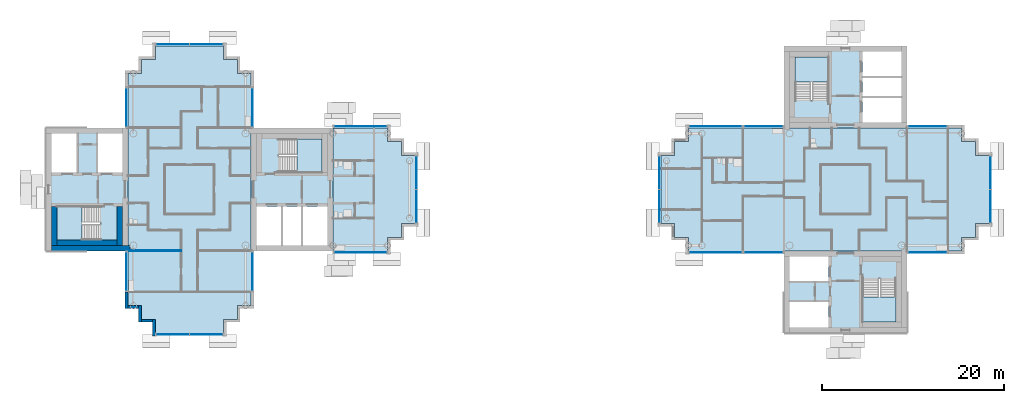
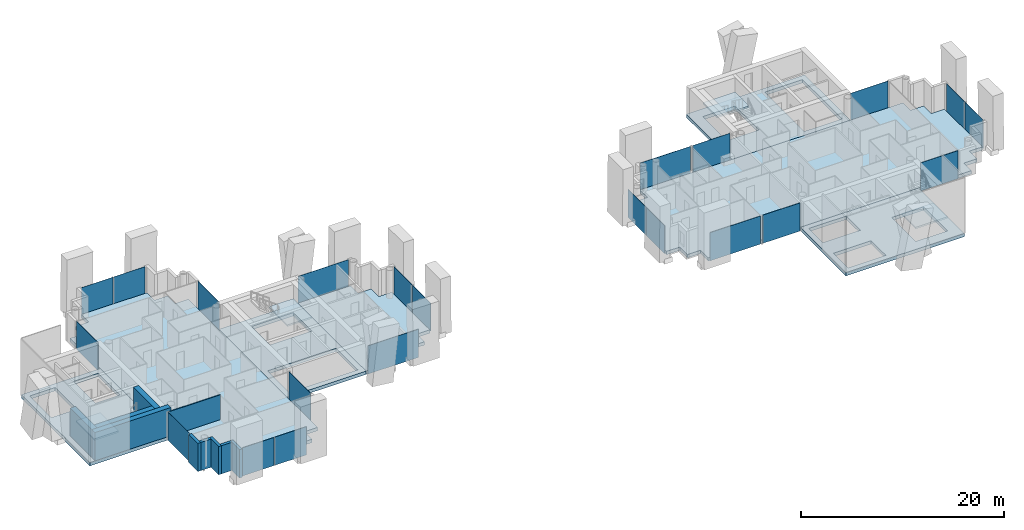
# One storey, part 5 of 18: 22 plates, 11 slabs, 10 walls, 21 elements without a shape of their own.
"""IFC4 building model written with IfcOpenShell, lengths in metres."""

from ifc_helpers import new_model, si_unit, direction, frame, frame_2d, origin, origin_2d, place, context, subcontext, project, spatial, polyline, rectangle, outline, extrude, material, layer, layer_set, type_object, element, aggregate, save


model = new_model("IFC4")

# Units and contexts
model_context = context("Model", 3, precision=1e-05, world=origin(), true_north=direction((0.0, 1.0)))
body_context = subcontext(model_context, "Body", "Model", "MODEL_VIEW")
ifc_project = project(units=[si_unit("LENGTHUNIT", "METRE"), si_unit("AREAUNIT", "SQUARE_METRE"), si_unit("VOLUMEUNIT", "CUBIC_METRE"), si_unit("PLANEANGLEUNIT", "RADIAN"), si_unit("MASSUNIT", "GRAM", prefix="KILO")], contexts=[model_context])

# Site, building, storey
site_placement = place(None, origin())
site = spatial("IfcSite", under=ifc_project, at=site_placement, CompositionType="ELEMENT")
building_placement = place(site_placement, origin())
building = spatial("IfcBuilding", under=site, at=building_placement, Name="Ipe Terrace Towers", CompositionType="ELEMENT")
storey_placement = place(building_placement, frame((0.0, 0.0, 202.800048828125)))
storey = spatial("IfcBuildingStorey", under=building, at=storey_placement, Name="L56", CompositionType="ELEMENT", Elevation=202.800048828125)

# Slabs
ifc_material_1 = material(Name="Concrete C30/37", Category="concrete")
ifc_layer_1 = layer(ifc_material_1, 0.39990234375)
ifc_layer_set_1 = layer_set([ifc_layer_1], Name="CORE FLOOR SLAB 400 C30-37")
slab_type_1 = type_object("IfcSlabType", Name="CORE FLOOR SLAB 400 C30-37", PredefinedType="FLOOR", material=ifc_layer_set_1)
slab_1_placement = place(storey_placement, frame((0.0, 0.0, -0.400146484375)))
element("IfcSlab", 1, at=slab_1_placement, inside=storey, type_object=slab_type_1, Name="Core floor T1-C1", PredefinedType="FLOOR", context=body_context, shape_type="SweptSolid", body=[
    extrude(outline(polyline([(-29.25, -6.75), (-29.25, 6.75), (-20.25, 6.75), (-20.25, -6.75), (-29.25, -6.75)]), holes=[polyline([(-28.64990234375, -6.14990234375), (-20.85009765625, -6.14990234375), (-20.85009765625, -1.85009765625), (-28.64990234375, -1.85009765625), (-28.64990234375, -6.14990234375)]), polyline([(-26.199951171875, 5.550048828125), (-26.199951171875, 1.89990234375), (-21.449951171875, 1.89990234375), (-21.449951171875, 5.550048828125), (-26.199951171875, 5.550048828125)])]), origin(), (0.0, 0.0, 1.0), 0.400146484375),
])
slab_2_placement = place(storey_placement, frame((0.0, 0.0, -0.400146484375)))
element("IfcSlab", 2, at=slab_2_placement, inside=storey, type_object=slab_type_1, Name="Core floor T1-C2", PredefinedType="FLOOR", context=body_context, shape_type="SweptSolid", body=[
    extrude(outline(polyline([(-51.75, -6.75), (-51.75, 6.75), (-42.75, 6.75), (-42.75, -6.75), (-51.75, -6.75)]), holes=[polyline([(-45.800048828125, -1.89990234375), (-50.550048828125, -1.89990234375), (-50.550048828125, -5.550048828125), (-45.800048828125, -5.550048828125), (-45.800048828125, -1.89990234375)]), polyline([(-48.25, 1.85009765625), (-48.25, 6.14990234375), (-51.14990234375, 6.14990234375), (-51.14990234375, 1.85009765625), (-48.25, 1.85009765625)]), polyline([(-43.35009765625, 1.85009765625), (-43.35009765625, 6.14990234375), (-46.14990234375, 6.14990234375), (-46.14990234375, 1.85009765625), (-43.35009765625, 1.85009765625)])]), origin(), (0.0, 0.0, 1.0), 0.400146484375),
])
slab_3_placement = place(storey_placement, frame((0.0, 0.0, -0.400146484375)))
element("IfcSlab", 3, at=slab_3_placement, inside=storey, type_object=slab_type_1, Name="Core floor T2-C1", PredefinedType="FLOOR", context=body_context, shape_type="SweptSolid", body=[
    extrude(outline(polyline([(29.25, 6.75), (29.25, 15.75), (42.75, 15.75), (42.75, 6.75), (29.25, 6.75)]), holes=[polyline([(42.14990234375, 7.35009765625), (42.14990234375, 15.14990234375), (37.85009765625, 15.14990234375), (37.85009765625, 7.35009765625), (42.14990234375, 7.35009765625)]), polyline([(30.449951171875, 9.800048828125), (34.10009765625, 9.800048828125), (34.10009765625, 14.550048828125), (30.449951171875, 14.550048828125), (30.449951171875, 9.800048828125)])]), origin(), (0.0, 0.0, 1.0), 0.400146484375),
])
slab_4_placement = place(storey_placement, frame((0.0, 0.0, -0.400146484375)))
element("IfcSlab", 4, at=slab_4_placement, inside=storey, type_object=slab_type_1, Name="Core floor T2-C2", PredefinedType="FLOOR", context=body_context, shape_type="SweptSolid", body=[
    extrude(outline(polyline([(29.25, -15.75), (29.25, -6.75), (42.75, -6.75), (42.75, -15.75), (29.25, -15.75)]), holes=[polyline([(29.85009765625, -12.25), (29.85009765625, -15.14990234375), (34.14990234375, -15.14990234375), (34.14990234375, -12.25), (29.85009765625, -12.25)]), polyline([(41.550048828125, -9.800048828125), (37.89990234375, -9.800048828125), (37.89990234375, -14.550048828125), (41.550048828125, -14.550048828125), (41.550048828125, -9.800048828125)]), polyline([(34.14990234375, -7.35009765625), (29.85009765625, -7.35009765625), (29.85009765625, -10.14990234375), (34.14990234375, -10.14990234375), (34.14990234375, -7.35009765625)])]), origin(), (0.0, 0.0, 1.0), 0.400146484375),
])

# Stair, slab
ifc_material_2 = material(Name="Concrete C30/37", Category="concrete")
stair_type = type_object("IfcStairType", Name="Protected exit stair", PredefinedType="HALF_TURN_STAIR", material=ifc_material_2)
stair_1_placement = place(storey_placement, origin())
stair_1 = element("IfcStair", 5, at=stair_1_placement, inside=storey, type_object=stair_type, Name="L56 Exit stair T1-C1", PredefinedType="HALF_TURN_STAIR")
ifc_material_3 = material(Name="Concrete C30/37", Category="concrete")
ifc_layer_2 = layer(ifc_material_3, 0.199951171875)
ifc_layer_set_2 = layer_set([ifc_layer_2], Name="Exit stair landing 200")
slab_type_2 = type_object("IfcSlabType", Name="Exit stair landing 200", PredefinedType="LANDING", material=ifc_layer_set_2)
slab_5_placement = place(storey_placement, frame((0.0, 0.0, 1.5)))
slab_5 = element("IfcSlab", 6, at=slab_5_placement, type_object=slab_type_2, Name="T1-ST1 landing 1", PredefinedType="LANDING", context=body_context, shape_type="SweptSolid", body=[
    extrude(outline(polyline([(-24.219970703125, 1.89990234375), (-21.449951171875, 1.89990234375), (-21.449951171875, 5.550048828125), (-24.219970703125, 5.550048828125), (-24.219970703125, 1.89990234375)])), origin(), (0.0, 0.0, 1.0), 0.199951171875),
])
aggregate(stair_1, [slab_5])

stair_2_placement = place(storey_placement, origin())
stair_2 = element("IfcStair", 7, at=stair_2_placement, inside=storey, type_object=stair_type, Name="L56 Exit stair T1-C2", PredefinedType="HALF_TURN_STAIR")
slab_6_placement = place(storey_placement, frame((0.0, 0.0, 1.5)))
slab_6 = element("IfcSlab", 8, at=slab_6_placement, type_object=slab_type_2, Name="T1-ST2 landing 1", PredefinedType="LANDING", context=body_context, shape_type="SweptSolid", body=[
    extrude(outline(polyline([(-47.780029296875, -1.89990234375), (-50.550048828125, -1.89990234375), (-50.550048828125, -5.550048828125), (-47.780029296875, -5.550048828125), (-47.780029296875, -1.89990234375)])), origin(), (0.0, 0.0, 1.0), 0.199951171875),
])
aggregate(stair_2, [slab_6])

stair_3_placement = place(storey_placement, origin())
stair_3 = element("IfcStair", 9, at=stair_3_placement, inside=storey, type_object=stair_type, Name="L56 Exit stair T2-C1", PredefinedType="HALF_TURN_STAIR")
slab_7_placement = place(storey_placement, frame((0.0, 0.0, 1.5)))
slab_7 = element("IfcSlab", 10, at=slab_7_placement, type_object=slab_type_2, Name="T2-ST1 landing 1", PredefinedType="LANDING", context=body_context, shape_type="SweptSolid", body=[
    extrude(outline(polyline([(34.10009765625, 11.780029296875), (34.10009765625, 14.550048828125), (30.449951171875, 14.550048828125), (30.449951171875, 11.780029296875), (34.10009765625, 11.780029296875)])), origin(), (0.0, 0.0, 1.0), 0.199951171875),
])
aggregate(stair_3, [slab_7])

stair_4_placement = place(storey_placement, origin())
stair_4 = element("IfcStair", 11, at=stair_4_placement, inside=storey, type_object=stair_type, Name="L56 Exit stair T2-C2", PredefinedType="HALF_TURN_STAIR")
slab_8_placement = place(storey_placement, frame((0.0, 0.0, 1.5)))
slab_8 = element("IfcSlab", 12, at=slab_8_placement, type_object=slab_type_2, Name="T2-ST2 landing 1", PredefinedType="LANDING", context=body_context, shape_type="SweptSolid", body=[
    extrude(outline(polyline([(37.89990234375, -11.780029296875), (37.89990234375, -14.550048828125), (41.550048828125, -14.550048828125), (41.550048828125, -11.780029296875), (37.89990234375, -11.780029296875)])), origin(), (0.0, 0.0, 1.0), 0.199951171875),
])
aggregate(stair_4, [slab_8])

# Slabs
ifc_material_4 = material(Name="Concrete C40/50", Category="concrete")
ifc_layer_3 = layer(ifc_material_4, 0.39990234375)
ifc_layer_set_3 = layer_set([ifc_layer_3], Name="FLAT PLATE SLAB 400 C40-50")
slab_type_3 = type_object("IfcSlabType", Name="FLAT PLATE SLAB 400 C40-50", PredefinedType="FLOOR", material=ifc_layer_set_3)
slab_9_placement = place(storey_placement, frame((0.0, 0.0, -0.400146484375)))
element("IfcSlab", 13, at=slab_9_placement, inside=storey, type_object=slab_type_3, Name="Slab T1-FS-Z41", PredefinedType="FLOOR", context=body_context, shape_type="SweptSolid", body=[
    extrude(outline(polyline([(-30.75, -12.75), (-30.75, -14.25), (-32.25, -14.25), (-32.25, -15.75), (-39.75, -15.75), (-39.75, -14.25), (-41.25, -14.25), (-41.25, -12.75), (-42.75, -12.75), (-42.75, -6.75), (-42.75, 6.75), (-42.75, 12.75), (-41.25, 12.75), (-41.25, 14.25), (-39.75, 14.25), (-39.75, 15.75), (-32.25, 15.75), (-32.25, 14.25), (-30.75, 14.25), (-30.75, 12.75), (-29.25, 12.75), (-29.25, 6.75), (-29.25, -6.75), (-29.25, -12.75), (-30.75, -12.75)])), origin(), (0.0, 0.0, 1.0), 0.400146484375),
])
slab_10_placement = place(storey_placement, frame((0.0, 0.0, -0.400146484375)))
element("IfcSlab", 14, at=slab_10_placement, inside=storey, type_object=slab_type_3, Name="Slab T1-FS-Z42", PredefinedType="FLOOR", context=body_context, shape_type="SweptSolid", body=[
    extrude(outline(polyline([(-14.25, 5.25), (-12.75, 5.25), (-12.75, 3.75), (-11.25, 3.75), (-11.25, -3.75), (-12.75, -3.75), (-12.75, -5.25), (-14.25, -5.25), (-14.25, -6.75), (-20.25, -6.75), (-20.25, 6.75), (-14.25, 6.75), (-14.25, 5.25)])), origin(), (0.0, 0.0, 1.0), 0.400146484375),
])
slab_11_placement = place(storey_placement, frame((0.0, 0.0, -0.400146484375)))
element("IfcSlab", 15, at=slab_11_placement, inside=storey, type_object=slab_type_3, Name="Slab T2-FS-Z41", PredefinedType="FLOOR", context=body_context, shape_type="SweptSolid", body=[
    extrude(outline(polyline([(48.75, 5.25), (50.25, 5.25), (50.25, 3.75), (51.75, 3.75), (51.75, -3.75), (50.25, -3.75), (50.25, -5.25), (48.75, -5.25), (48.75, -6.75), (42.75, -6.75), (29.25, -6.75), (18.75, -6.75), (18.75, -5.25), (17.25, -5.25), (17.25, -3.75), (15.75, -3.75), (15.75, 3.75), (17.25, 3.75), (17.25, 5.25), (18.75, 5.25), (18.75, 6.75), (29.25, 6.75), (42.75, 6.75), (48.75, 6.75), (48.75, 5.25)])), origin(), (0.0, 0.0, 1.0), 0.400146484375),
])

# Curtain wall, plate
ifc_material_5 = material(Name="Aluminium alloy 6063-T6", Category="aluminium")
ifc_layer_4 = layer(ifc_material_5, 0.320068359375)
ifc_layer_set_4 = layer_set([ifc_layer_4], Name="TOWER UNITISED CURTAIN WALL")
curtain_wall_type = type_object("IfcCurtainWallType", Name="TOWER UNITISED CURTAIN WALL", PredefinedType="NOTDEFINED", material=ifc_layer_set_4)
curtain_wall_1_placement = place(storey_placement, origin())
curtain_wall_1 = element("IfcCurtainWall", 16, at=curtain_wall_1_placement, inside=storey, type_object=curtain_wall_type, Name="T1-CW-L56-02a curtain wall", PredefinedType="NOTDEFINED")
ifc_material_6 = material(Name="Glass, clear laminated", Category="glass")
ifc_layer_5 = layer(ifc_material_6, 0.031982421875)
ifc_layer_set_5 = layer_set([ifc_layer_5], Name="TOWER UNITISED GLASS PANEL 32")
plate_type = type_object("IfcPlateType", Name="TOWER UNITISED GLASS PANEL 32", PredefinedType="CURTAIN_PANEL", material=ifc_layer_set_5)
plate_1_placement = place(storey_placement, frame((-42.909912109375, -9.0, -0.300048828125), z_axis=(0.0, 0.0, 1.0), x_axis=(0.0, -1.0, 0.0)))
plate_1 = element("IfcPlate", 17, at=plate_1_placement, type_object=plate_type, Name="T1-CW-L56-02a panel 1", PredefinedType="CURTAIN_PANEL", context=body_context, shape_type="SweptSolid", body=[
    extrude(rectangle(XDim=4.260009765625, YDim=0.031982421875, at=origin_2d()), origin(), (0.0, 0.0, 1.0), 3.39990234375),
])
aggregate(curtain_wall_1, [plate_1])

# Curtain wall, plates
curtain_wall_2_placement = place(storey_placement, origin())
curtain_wall_2 = element("IfcCurtainWall", 18, at=curtain_wall_2_placement, inside=storey, type_object=curtain_wall_type, Name="T1-CW-L56-08a curtain wall", PredefinedType="NOTDEFINED")
plate_2_placement = place(storey_placement, frame((-37.831298828125, -15.909912109375, -0.300048828125), z_axis=(0.0, 0.0, 1.0), x_axis=(1.0, 0.0, 0.0)))
plate_2 = element("IfcPlate", 19, at=plate_2_placement, type_object=plate_type, Name="T1-CW-L56-08a panel 1", PredefinedType="CURTAIN_PANEL", context=body_context, shape_type="SweptSolid", body=[
    extrude(rectangle(XDim=3.597412109375, YDim=0.031982421875, at=origin_2d()), origin(), (0.0, 0.0, 1.0), 3.39990234375),
])
plate_3_placement = place(storey_placement, frame((-34.168701171875, -15.909912109375, -0.300048828125), z_axis=(0.0, 0.0, 1.0), x_axis=(1.0, 0.0, 0.0)))
plate_3 = element("IfcPlate", 20, at=plate_3_placement, type_object=plate_type, Name="T1-CW-L56-08a panel 2", PredefinedType="CURTAIN_PANEL", context=body_context, shape_type="SweptSolid", body=[
    extrude(rectangle(XDim=3.597412109375, YDim=0.031982421875, at=origin_2d()), origin(), (0.0, 0.0, 1.0), 3.39990234375),
])
aggregate(curtain_wall_2, [plate_2, plate_3])

# Curtain wall, plate
curtain_wall_3_placement = place(storey_placement, origin())
curtain_wall_3 = element("IfcCurtainWall", 21, at=curtain_wall_3_placement, inside=storey, type_object=curtain_wall_type, Name="T1-CW-L56-14a curtain wall", PredefinedType="NOTDEFINED")
plate_4_placement = place(storey_placement, frame((-29.090087890625, -9.0, -0.300048828125), z_axis=(0.0, 0.0, 1.0), x_axis=(0.0, 1.0, 0.0)))
plate_4 = element("IfcPlate", 22, at=plate_4_placement, type_object=plate_type, Name="T1-CW-L56-14a panel 1", PredefinedType="CURTAIN_PANEL", context=body_context, shape_type="SweptSolid", body=[
    extrude(rectangle(XDim=4.260009765625, YDim=0.031982421875, at=origin_2d()), origin(), (0.0, 0.0, 1.0), 3.39990234375),
])
aggregate(curtain_wall_3, [plate_4])

curtain_wall_4_placement = place(storey_placement, origin())
curtain_wall_4 = element("IfcCurtainWall", 23, at=curtain_wall_4_placement, inside=storey, type_object=curtain_wall_type, Name="T1-CW-L56-16b curtain wall", PredefinedType="NOTDEFINED")
plate_5_placement = place(storey_placement, frame((-17.24951171875, -6.909912109375, -0.300048828125), z_axis=(0.0, 0.0, 1.0), x_axis=(1.0, 0.0, 0.0)))
plate_5 = element("IfcPlate", 24, at=plate_5_placement, type_object=plate_type, Name="T1-CW-L56-16b panel 1", PredefinedType="CURTAIN_PANEL", context=body_context, shape_type="SweptSolid", body=[
    extrude(rectangle(XDim=5.759033203125, YDim=0.031982421875, at=origin_2d()), origin(), (0.0, 0.0, 1.0), 3.39990234375),
])
aggregate(curtain_wall_4, [plate_5])

# Curtain wall, plates
curtain_wall_5_placement = place(storey_placement, origin())
curtain_wall_5 = element("IfcCurtainWall", 25, at=curtain_wall_5_placement, inside=storey, type_object=curtain_wall_type, Name="T1-CW-L56-21a curtain wall", PredefinedType="NOTDEFINED")
plate_6_placement = place(storey_placement, frame((-11.090087890625, -1.831298828125, -0.300048828125), z_axis=(0.0, 0.0, 1.0), x_axis=(0.0, 1.0, 0.0)))
plate_6 = element("IfcPlate", 26, at=plate_6_placement, type_object=plate_type, Name="T1-CW-L56-21a panel 1", PredefinedType="CURTAIN_PANEL", context=body_context, shape_type="SweptSolid", body=[
    extrude(rectangle(XDim=3.597412109375, YDim=0.031982421875, at=origin_2d()), origin(), (0.0, 0.0, 1.0), 3.39990234375),
])
plate_7_placement = place(storey_placement, frame((-11.090087890625, 1.831298828125, -0.300048828125), z_axis=(0.0, 0.0, 1.0), x_axis=(0.0, 1.0, 0.0)))
plate_7 = element("IfcPlate", 27, at=plate_7_placement, type_object=plate_type, Name="T1-CW-L56-21a panel 2", PredefinedType="CURTAIN_PANEL", context=body_context, shape_type="SweptSolid", body=[
    extrude(rectangle(XDim=3.597412109375, YDim=0.031982421875, at=origin_2d()), origin(), (0.0, 0.0, 1.0), 3.39990234375),
])
aggregate(curtain_wall_5, [plate_6, plate_7])

# Curtain wall, plate
curtain_wall_6_placement = place(storey_placement, origin())
curtain_wall_6 = element("IfcCurtainWall", 28, at=curtain_wall_6_placement, inside=storey, type_object=curtain_wall_type, Name="T1-CW-L56-26a curtain wall", PredefinedType="NOTDEFINED")
plate_8_placement = place(storey_placement, frame((-17.24951171875, 6.909912109375, -0.300048828125), z_axis=(0.0, 0.0, 1.0), x_axis=(-1.0, 0.0, 0.0)))
plate_8 = element("IfcPlate", 29, at=plate_8_placement, type_object=plate_type, Name="T1-CW-L56-26a panel 1", PredefinedType="CURTAIN_PANEL", context=body_context, shape_type="SweptSolid", body=[
    extrude(rectangle(XDim=5.759033203125, YDim=0.031982421875, at=origin_2d()), origin(), (0.0, 0.0, 1.0), 3.39990234375),
])
aggregate(curtain_wall_6, [plate_8])

curtain_wall_7_placement = place(storey_placement, origin())
curtain_wall_7 = element("IfcCurtainWall", 30, at=curtain_wall_7_placement, inside=storey, type_object=curtain_wall_type, Name="T1-CW-L56-28a curtain wall", PredefinedType="NOTDEFINED")
plate_9_placement = place(storey_placement, frame((-29.090087890625, 9.0, -0.300048828125), z_axis=(0.0, 0.0, 1.0), x_axis=(0.0, 1.0, 0.0)))
plate_9 = element("IfcPlate", 31, at=plate_9_placement, type_object=plate_type, Name="T1-CW-L56-28a panel 1", PredefinedType="CURTAIN_PANEL", context=body_context, shape_type="SweptSolid", body=[
    extrude(rectangle(XDim=4.260009765625, YDim=0.031982421875, at=origin_2d()), origin(), (0.0, 0.0, 1.0), 3.39990234375),
])
aggregate(curtain_wall_7, [plate_9])

# Curtain wall, plates
curtain_wall_8_placement = place(storey_placement, origin())
curtain_wall_8 = element("IfcCurtainWall", 32, at=curtain_wall_8_placement, inside=storey, type_object=curtain_wall_type, Name="T1-CW-L56-34a curtain wall", PredefinedType="NOTDEFINED")
plate_10_placement = place(storey_placement, frame((-34.168701171875, 15.909912109375, -0.300048828125), z_axis=(0.0, 0.0, 1.0), x_axis=(-1.0, 0.0, 0.0)))
plate_10 = element("IfcPlate", 33, at=plate_10_placement, type_object=plate_type, Name="T1-CW-L56-34a panel 1", PredefinedType="CURTAIN_PANEL", context=body_context, shape_type="SweptSolid", body=[
    extrude(rectangle(XDim=3.597412109375, YDim=0.031982421875, at=origin_2d()), origin(), (0.0, 0.0, 1.0), 3.39990234375),
])
plate_11_placement = place(storey_placement, frame((-37.831298828125, 15.909912109375, -0.300048828125), z_axis=(0.0, 0.0, 1.0), x_axis=(-1.0, 0.0, 0.0)))
plate_11 = element("IfcPlate", 34, at=plate_11_placement, type_object=plate_type, Name="T1-CW-L56-34a panel 2", PredefinedType="CURTAIN_PANEL", context=body_context, shape_type="SweptSolid", body=[
    extrude(rectangle(XDim=3.597412109375, YDim=0.031982421875, at=origin_2d()), origin(), (0.0, 0.0, 1.0), 3.39990234375),
])
aggregate(curtain_wall_8, [plate_10, plate_11])

# Curtain wall, plate
curtain_wall_9_placement = place(storey_placement, origin())
curtain_wall_9 = element("IfcCurtainWall", 35, at=curtain_wall_9_placement, inside=storey, type_object=curtain_wall_type, Name="T1-CW-L56-40a curtain wall", PredefinedType="NOTDEFINED")
plate_12_placement = place(storey_placement, frame((-42.909912109375, 9.0, -0.300048828125), z_axis=(0.0, 0.0, 1.0), x_axis=(0.0, -1.0, 0.0)))
plate_12 = element("IfcPlate", 36, at=plate_12_placement, type_object=plate_type, Name="T1-CW-L56-40a panel 1", PredefinedType="CURTAIN_PANEL", context=body_context, shape_type="SweptSolid", body=[
    extrude(rectangle(XDim=4.260009765625, YDim=0.031982421875, at=origin_2d()), origin(), (0.0, 0.0, 1.0), 3.39990234375),
])
aggregate(curtain_wall_9, [plate_12])

curtain_wall_10_placement = place(storey_placement, origin())
curtain_wall_10 = element("IfcCurtainWall", 37, at=curtain_wall_10_placement, inside=storey, type_object=curtain_wall_type, Name="T2-CW-L56-02a curtain wall", PredefinedType="NOTDEFINED")
plate_13_placement = place(storey_placement, frame((45.0, -6.909912109375, -0.300048828125), z_axis=(0.0, 0.0, 1.0), x_axis=(1.0, 0.0, 0.0)))
plate_13 = element("IfcPlate", 38, at=plate_13_placement, type_object=plate_type, Name="T2-CW-L56-02a panel 1", PredefinedType="CURTAIN_PANEL", context=body_context, shape_type="SweptSolid", body=[
    extrude(rectangle(XDim=4.260009765625, YDim=0.031982421875, at=origin_2d()), origin(), (0.0, 0.0, 1.0), 3.39990234375),
])
aggregate(curtain_wall_10, [plate_13])

# Curtain wall, plates
curtain_wall_11_placement = place(storey_placement, origin())
curtain_wall_11 = element("IfcCurtainWall", 39, at=curtain_wall_11_placement, inside=storey, type_object=curtain_wall_type, Name="T2-CW-L56-08a curtain wall", PredefinedType="NOTDEFINED")
plate_14_placement = place(storey_placement, frame((51.909912109375, -1.831298828125, -0.300048828125), z_axis=(0.0, 0.0, 1.0), x_axis=(0.0, 1.0, 0.0)))
plate_14 = element("IfcPlate", 40, at=plate_14_placement, type_object=plate_type, Name="T2-CW-L56-08a panel 1", PredefinedType="CURTAIN_PANEL", context=body_context, shape_type="SweptSolid", body=[
    extrude(rectangle(XDim=3.597412109375, YDim=0.031982421875, at=origin_2d()), origin(), (0.0, 0.0, 1.0), 3.39990234375),
])
plate_15_placement = place(storey_placement, frame((51.909912109375, 1.831298828125, -0.300048828125), z_axis=(0.0, 0.0, 1.0), x_axis=(0.0, 1.0, 0.0)))
plate_15 = element("IfcPlate", 41, at=plate_15_placement, type_object=plate_type, Name="T2-CW-L56-08a panel 2", PredefinedType="CURTAIN_PANEL", context=body_context, shape_type="SweptSolid", body=[
    extrude(rectangle(XDim=3.597412109375, YDim=0.031982421875, at=origin_2d()), origin(), (0.0, 0.0, 1.0), 3.39990234375),
])
aggregate(curtain_wall_11, [plate_14, plate_15])

# Curtain wall, plate
curtain_wall_12_placement = place(storey_placement, origin())
curtain_wall_12 = element("IfcCurtainWall", 42, at=curtain_wall_12_placement, inside=storey, type_object=curtain_wall_type, Name="T2-CW-L56-14a curtain wall", PredefinedType="NOTDEFINED")
plate_16_placement = place(storey_placement, frame((45.0, 6.909912109375, -0.300048828125), z_axis=(0.0, 0.0, 1.0), x_axis=(-1.0, 0.0, 0.0)))
plate_16 = element("IfcPlate", 43, at=plate_16_placement, type_object=plate_type, Name="T2-CW-L56-14a panel 1", PredefinedType="CURTAIN_PANEL", context=body_context, shape_type="SweptSolid", body=[
    extrude(rectangle(XDim=4.260009765625, YDim=0.031982421875, at=origin_2d()), origin(), (0.0, 0.0, 1.0), 3.39990234375),
])
aggregate(curtain_wall_12, [plate_16])

curtain_wall_13_placement = place(storey_placement, origin())
curtain_wall_13 = element("IfcCurtainWall", 44, at=curtain_wall_13_placement, inside=storey, type_object=curtain_wall_type, Name="T2-CW-L56-20a curtain wall", PredefinedType="NOTDEFINED")
plate_17_placement = place(storey_placement, frame((27.0, 6.909912109375, -0.300048828125), z_axis=(0.0, 0.0, 1.0), x_axis=(-1.0, 0.0, 0.0)))
plate_17 = element("IfcPlate", 45, at=plate_17_placement, type_object=plate_type, Name="T2-CW-L56-20a panel 1", PredefinedType="CURTAIN_PANEL", context=body_context, shape_type="SweptSolid", body=[
    extrude(rectangle(XDim=4.260009765625, YDim=0.031982421875, at=origin_2d()), origin(), (0.0, 0.0, 1.0), 3.39990234375),
])
aggregate(curtain_wall_13, [plate_17])

curtain_wall_14_placement = place(storey_placement, origin())
curtain_wall_14 = element("IfcCurtainWall", 46, at=curtain_wall_14_placement, inside=storey, type_object=curtain_wall_type, Name="T2-CW-L56-21a curtain wall", PredefinedType="NOTDEFINED")
plate_18_placement = place(storey_placement, frame((21.75, 6.909912109375, -0.300048828125), z_axis=(0.0, 0.0, 1.0), x_axis=(-1.0, 0.0, 0.0)))
plate_18 = element("IfcPlate", 47, at=plate_18_placement, type_object=plate_type, Name="T2-CW-L56-21a panel 1", PredefinedType="CURTAIN_PANEL", context=body_context, shape_type="SweptSolid", body=[
    extrude(rectangle(XDim=5.760009765625, YDim=0.031982421875, at=origin_2d()), origin(), (0.0, 0.0, 1.0), 3.39990234375),
])
aggregate(curtain_wall_14, [plate_18])

# Curtain wall, plates
curtain_wall_15_placement = place(storey_placement, origin())
curtain_wall_15 = element("IfcCurtainWall", 48, at=curtain_wall_15_placement, inside=storey, type_object=curtain_wall_type, Name="T2-CW-L56-26a curtain wall", PredefinedType="NOTDEFINED")
plate_19_placement = place(storey_placement, frame((15.590087890625, 1.831298828125, -0.300048828125), z_axis=(0.0, 0.0, 1.0), x_axis=(0.0, -1.0, 0.0)))
plate_19 = element("IfcPlate", 49, at=plate_19_placement, type_object=plate_type, Name="T2-CW-L56-26a panel 1", PredefinedType="CURTAIN_PANEL", context=body_context, shape_type="SweptSolid", body=[
    extrude(rectangle(XDim=3.597412109375, YDim=0.031982421875, at=origin_2d()), origin(), (0.0, 0.0, 1.0), 3.39990234375),
])
plate_20_placement = place(storey_placement, frame((15.590087890625, -1.831298828125, -0.300048828125), z_axis=(0.0, 0.0, 1.0), x_axis=(0.0, -1.0, 0.0)))
plate_20 = element("IfcPlate", 50, at=plate_20_placement, type_object=plate_type, Name="T2-CW-L56-26a panel 2", PredefinedType="CURTAIN_PANEL", context=body_context, shape_type="SweptSolid", body=[
    extrude(rectangle(XDim=3.597412109375, YDim=0.031982421875, at=origin_2d()), origin(), (0.0, 0.0, 1.0), 3.39990234375),
])
aggregate(curtain_wall_15, [plate_19, plate_20])

# Curtain wall, plate
curtain_wall_16_placement = place(storey_placement, origin())
curtain_wall_16 = element("IfcCurtainWall", 51, at=curtain_wall_16_placement, inside=storey, type_object=curtain_wall_type, Name="T2-CW-L56-31a curtain wall", PredefinedType="NOTDEFINED")
plate_21_placement = place(storey_placement, frame((21.75, -6.909912109375, -0.300048828125), z_axis=(0.0, 0.0, 1.0), x_axis=(1.0, 0.0, 0.0)))
plate_21 = element("IfcPlate", 52, at=plate_21_placement, type_object=plate_type, Name="T2-CW-L56-31a panel 1", PredefinedType="CURTAIN_PANEL", context=body_context, shape_type="SweptSolid", body=[
    extrude(rectangle(XDim=5.760009765625, YDim=0.031982421875, at=origin_2d()), origin(), (0.0, 0.0, 1.0), 3.39990234375),
])
aggregate(curtain_wall_16, [plate_21])

curtain_wall_17_placement = place(storey_placement, origin())
curtain_wall_17 = element("IfcCurtainWall", 53, at=curtain_wall_17_placement, inside=storey, type_object=curtain_wall_type, Name="T2-CW-L56-32a curtain wall", PredefinedType="NOTDEFINED")
plate_22_placement = place(storey_placement, frame((27.0, -6.909912109375, -0.300048828125), z_axis=(0.0, 0.0, 1.0), x_axis=(1.0, 0.0, 0.0)))
plate_22 = element("IfcPlate", 54, at=plate_22_placement, type_object=plate_type, Name="T2-CW-L56-32a panel 1", PredefinedType="CURTAIN_PANEL", context=body_context, shape_type="SweptSolid", body=[
    extrude(rectangle(XDim=4.260009765625, YDim=0.031982421875, at=origin_2d()), origin(), (0.0, 0.0, 1.0), 3.39990234375),
])
aggregate(curtain_wall_17, [plate_22])

# Walls
ifc_material_7 = material(Name="Concrete C40/50 with buff precast cladding", Category="concrete")
ifc_layer_6 = layer(ifc_material_7, 0.320068359375)
ifc_layer_set_6 = layer_set([ifc_layer_6], Name="BUFF CLADDING WALL 320")
wall_type_1 = type_object("IfcWallType", Name="BUFF CLADDING WALL 320", PredefinedType="STANDARD", material=ifc_layer_set_6)
wall_1_placement = place(storey_placement, frame((-42.909912109375, -11.25, -0.300048828125), z_axis=(0.0, 0.0, 1.0), x_axis=(0.0, -1.0, 0.0)))
element("IfcWall", 55, at=wall_1_placement, inside=storey, type_object=wall_type_1, Name="T1-W-L56-03a wall", PredefinedType="STANDARD", context=body_context, shape_type="SweptSolid", body=[
    extrude(rectangle(XDim=1.820068359375, YDim=0.320068359375, at=frame_2d((0.91015625, 0.0))), origin(), (0.0, 0.0, 1.0), 3.39990234375),
])
wall_2_placement = place(storey_placement, frame((-42.75, -12.909912109375, -0.300048828125), z_axis=(0.0, 0.0, 1.0), x_axis=(1.0, 0.0, 0.0)))
element("IfcWall", 56, at=wall_2_placement, inside=storey, type_object=wall_type_1, Name="T1-W-L56-04a wall", PredefinedType="STANDARD", context=body_context, shape_type="SweptSolid", body=[
    extrude(rectangle(XDim=1.179931640625, YDim=0.320068359375, at=frame_2d((0.58984375, 0.0))), origin(), (0.0, 0.0, 1.0), 3.39990234375),
])
wall_3_placement = place(storey_placement, frame((-41.409912109375, -12.75, -0.300048828125), z_axis=(0.0, 0.0, 1.0), x_axis=(0.0, -1.0, 0.0)))
element("IfcWall", 57, at=wall_3_placement, inside=storey, type_object=wall_type_1, Name="T1-W-L56-05a wall", PredefinedType="STANDARD", context=body_context, shape_type="SweptSolid", body=[
    extrude(rectangle(XDim=1.820068359375, YDim=0.320068359375, at=frame_2d((0.91015625, 0.0))), origin(), (0.0, 0.0, 1.0), 3.39990234375),
])
wall_4_placement = place(storey_placement, frame((-41.25, -14.409912109375, -0.300048828125), z_axis=(0.0, 0.0, 1.0), x_axis=(1.0, 0.0, 0.0)))
element("IfcWall", 58, at=wall_4_placement, inside=storey, type_object=wall_type_1, Name="T1-W-L56-06a wall", PredefinedType="STANDARD", context=body_context, shape_type="SweptSolid", body=[
    extrude(rectangle(XDim=1.179931640625, YDim=0.320068359375, at=frame_2d((0.58984375, 0.0))), origin(), (0.0, 0.0, 1.0), 3.39990234375),
])
wall_5_placement = place(storey_placement, frame((-39.909912109375, -14.25, -0.300048828125), z_axis=(0.0, 0.0, 1.0), x_axis=(0.0, -1.0, 0.0)))
element("IfcWall", 59, at=wall_5_placement, inside=storey, type_object=wall_type_1, Name="T1-W-L56-07a wall", PredefinedType="STANDARD", context=body_context, shape_type="SweptSolid", body=[
    extrude(rectangle(XDim=1.820068359375, YDim=0.320068359375, at=frame_2d((0.91015625, 0.0))), origin(), (0.0, 0.0, 1.0), 3.39990234375),
])
ifc_material_8 = material(Name="Gypsum board partition", Category="plasterboard")
ifc_layer_7 = layer(ifc_material_8, 0.10009765625)
ifc_layer_set_7 = layer_set([ifc_layer_7], Name="Gypsum board partition 100 mm")
wall_type_2 = type_object("IfcWallType", Name="Gypsum board partition 100 mm", PredefinedType="PARTITIONING", material=ifc_layer_set_7)
wall_6_placement = place(storey_placement, frame((-42.85009765625, -6.75, 0.0), z_axis=(0.0, 0.0, 1.0), x_axis=(1.0, 0.0, 0.0)))
element("IfcWall", 60, at=wall_6_placement, inside=storey, type_object=wall_type_2, Name="Gypsum board partition T1 L56 W19", PredefinedType="PARTITIONING", context=body_context, shape_type="SweptSolid", body=[
    extrude(rectangle(XDim=5.9501953125, YDim=0.10009765625, at=frame_2d((2.97509765625, 0.0))), origin(), (0.0, 0.0, 1.0), 3.0),
])
ifc_material_9 = material(Name="Concrete C40/50", Category="concrete")
ifc_layer_8 = layer(ifc_material_9, 0.60009765625)
ifc_layer_set_8 = layer_set([ifc_layer_8], Name="RW600 CORE INFILL WALL 600 C40-50")
wall_type_3 = type_object("IfcWallType", Name="RW600 CORE INFILL WALL 600 C40-50", PredefinedType="SHEAR", material=ifc_layer_set_8)
wall_7_placement = place(storey_placement, frame((-50.85009765625, -1.85009765625, 0.0), z_axis=(0.0, 0.0, 1.0), x_axis=(0.0, -1.0, 0.0)))
element("IfcWall", 61, at=wall_7_placement, inside=storey, type_object=wall_type_3, Name="Core infill wall T1-C2-far", PredefinedType="SHEAR", context=body_context, shape_type="SweptSolid", body=[
    extrude(rectangle(XDim=4.2998046875, YDim=0.60009765625, at=frame_2d((2.14990234375, 0.0))), origin(), (0.0, 0.0, 1.0), 3.39990234375),
])
wall_8_placement = place(storey_placement, frame((-43.949951171875, -5.85009765625, 0.0), z_axis=(0.0, 0.0, 1.0), x_axis=(-1.0, 0.0, 0.0)))
element("IfcWall", 62, at=wall_8_placement, inside=storey, type_object=wall_type_3, Name="Core infill wall T1-C2-back", PredefinedType="SHEAR", context=body_context, shape_type="SweptSolid", body=[
    extrude(rectangle(XDim=6.60009765625, YDim=0.60009765625, at=frame_2d((3.300048828125, 0.0))), origin(), (0.0, 0.0, 1.0), 3.39990234375),
])
wall_9_placement = place(storey_placement, frame((-43.64990234375, -1.85009765625, 0.0), z_axis=(0.0, 0.0, 1.0), x_axis=(0.0, -1.0, 0.0)))
element("IfcWall", 63, at=wall_9_placement, inside=storey, type_object=wall_type_3, Name="Core infill wall T1-C2-near", PredefinedType="SHEAR", context=body_context, shape_type="SweptSolid", body=[
    extrude(rectangle(XDim=4.2998046875, YDim=0.60009765625, at=frame_2d((2.14990234375, 0.0))), origin(), (0.0, 0.0, 1.0), 3.39990234375),
])
ifc_material_10 = material(Name="Concrete C40/50", Category="concrete")
ifc_layer_9 = layer(ifc_material_10, 0.60009765625)
ifc_layer_set_9 = layer_set([ifc_layer_9], Name="RW600 CORE WALL 600 C40-50")
wall_type_4 = type_object("IfcWallType", Name="RW600 CORE WALL 600 C40-50", PredefinedType="SHEAR", material=ifc_layer_set_9)
wall_10_placement = place(storey_placement, frame((-51.14990234375, -6.449951171875, 0.0), z_axis=(0.0, 0.0, 1.0), x_axis=(1.0, 0.0, 0.0)))
element("IfcWall", 64, at=wall_10_placement, inside=storey, type_object=wall_type_4, Name="Core wall T1-C2-Z4-W01", PredefinedType="SHEAR", context=body_context, shape_type="SweptSolid", body=[
    extrude(rectangle(XDim=8.64794921875, YDim=0.60009765625, at=frame_2d((4.323974609375, 0.0))), origin(), (0.0, 0.0, 1.0), 3.39990234375),
])

save(model, "model.ifc")
